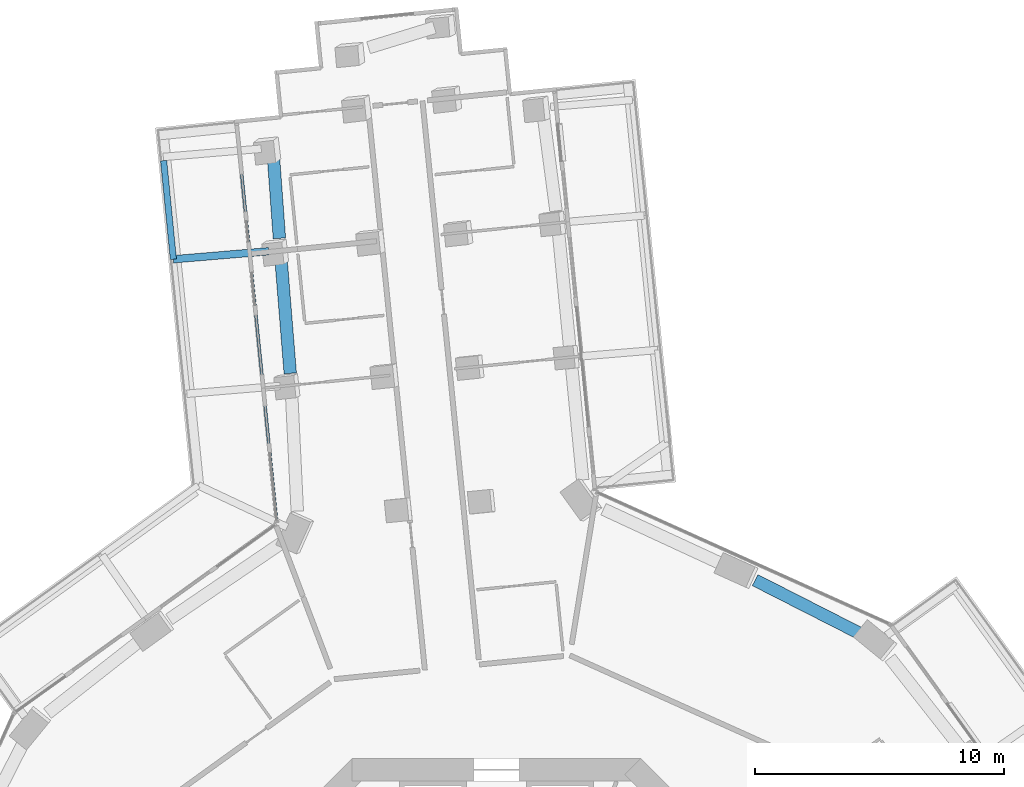
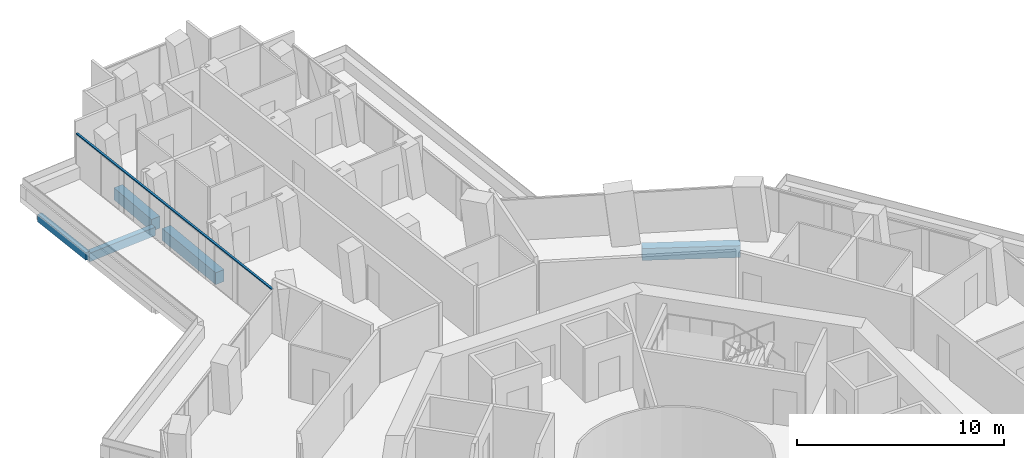
# One storey, part 8 of 26: 5 beams, 1 member, 1 element without a shape of its own.
"""IFC4 building model written with IfcOpenShell, lengths in metres."""

from ifc_helpers import new_model, si_unit, direction, frame, origin, origin_2d, place, context, subcontext, project, spatial, rectangle, extrude, material, layer, layer_set, material_profile, profile_set, type_object, element, aggregate, save


model = new_model("IFC4")

# Units and contexts
model_context = context("Model", 3, precision=1e-05, world=origin(), true_north=direction((0.0, 1.0)))
body_context = subcontext(model_context, "Body", "Model", "MODEL_VIEW")
ifc_project = project(units=[si_unit("LENGTHUNIT", "METRE"), si_unit("AREAUNIT", "SQUARE_METRE"), si_unit("VOLUMEUNIT", "CUBIC_METRE"), si_unit("PLANEANGLEUNIT", "RADIAN"), si_unit("MASSUNIT", "GRAM", prefix="KILO")], contexts=[model_context])

# Site, building, storey
site_placement = place(None, origin())
site = spatial("IfcSite", under=ifc_project, at=site_placement, CompositionType="ELEMENT")
building_placement = place(site_placement, origin())
building = spatial("IfcBuilding", under=site, at=building_placement, Name="Verdalira Terraces Hotel", CompositionType="ELEMENT")
storey_placement = place(building_placement, frame((0.0, 0.0, 56.5)))
storey = spatial("IfcBuildingStorey", under=building, at=storey_placement, Name="L12", CompositionType="ELEMENT", Elevation=56.5)

# Beams
ifc_material_1 = material(Name="Concrete C40", Category="concrete")
ifc_material_profile_1 = material_profile(ifc_material_1, rectangle(XDim=0.300049, YDim=0.5, at=origin_2d()), Name="RC 300X500")
ifc_profile_set_1 = profile_set([ifc_material_profile_1], Name="Concrete C40")
beam_type_1 = type_object("IfcBeamType", Name="Balcony cantilever beam RC 300X500 C40", PredefinedType="BEAM", material=ifc_profile_set_1)
beam_1_placement = place(storey_placement, frame((-9.145264, 34.391113, -0.560059), z_axis=(-0.99649092, -0.083700929, 0.0), x_axis=(0.083700929, -0.99649092, 0.0)))
element("IfcBeam", 1, at=beam_1_placement, inside=storey, type_object=beam_type_1, Name="Balcony cantilever beam R10-5", PredefinedType="BEAM", context=body_context, shape_type="SweptSolid", body=[
    extrude(rectangle(XDim=0.300049, YDim=0.5, at=origin_2d()), origin(), (0.0, 0.0, 1.0), 3.853027),
])
ifc_material_2 = material(Name="Concrete C40", Category="concrete")
ifc_material_profile_2 = material_profile(ifc_material_2, rectangle(XDim=0.25, YDim=0.449951, at=origin_2d()), Name="RC 250X450")
ifc_profile_set_2 = profile_set([ifc_material_profile_2], Name="Concrete C40")
beam_type_2 = type_object("IfcBeamType", Name="Balcony edge beam RC 250X450 C40", PredefinedType="BEAM", material=ifc_profile_set_2)
beam_2_placement = place(storey_placement, frame((-13.375488, 38.031982, -0.534912), z_axis=(0.098083351, -0.995178203, 0.0), x_axis=(0.995178203, 0.098083351, 0.0)))
element("IfcBeam", 2, at=beam_2_placement, inside=storey, type_object=beam_type_2, Name="Balcony edge beam R10-3", PredefinedType="BEAM", context=body_context, shape_type="SweptSolid", body=[
    extrude(rectangle(XDim=0.25, YDim=0.449951, at=origin_2d()), origin(), (0.0, 0.0, 1.0), 3.982666),
])

# Curtain wall, member
ifc_material_3 = material(Name="Clear glass", Category="glass")
ifc_layer = layer(ifc_material_3, 0.14990234375)
ifc_layer_set = layer_set([ifc_layer], Name="CW2 curtain wall")
curtain_wall_type = type_object("IfcCurtainWallType", Name="CW2 curtain wall", PredefinedType="NOTDEFINED", material=ifc_layer_set)
curtain_wall_placement = place(storey_placement, origin())
curtain_wall = element("IfcCurtainWall", 3, at=curtain_wall_placement, inside=storey, type_object=curtain_wall_type, Name="CW2 curtain wall L12 edge 10", PredefinedType="NOTDEFINED")
ifc_material_4 = material(Name="Terracotta frame", Category="masonry")
ifc_material_profile_3 = material_profile(ifc_material_4, rectangle(XDim=0.11499, YDim=0.064941, at=origin_2d()), Name="TR 65x115")
ifc_profile_set_3 = profile_set([ifc_material_profile_3], Name="Terracotta frame")
member_type = type_object("IfcMemberType", Name="CW2 transom 65x115", PredefinedType="USERDEFINED", material=ifc_profile_set_3)
member_placement = place(storey_placement, frame((-10.445068, 39.530518, 2.45752), z_axis=(0.10036136, -0.994951053, 0.0), x_axis=(0.994951053, 0.10036136, 0.0)))
member = element("IfcMember", 4, at=member_placement, type_object=member_type, Name="CW2 transom", ObjectType="TRANSOM", PredefinedType="USERDEFINED", context=body_context, shape_type="SweptSolid", body=[
    extrude(rectangle(XDim=0.11499, YDim=0.064941, at=origin_2d()), origin(), (0.0, 0.0, 1.0), 16.12085),
])
aggregate(curtain_wall, [member])

# Beams
ifc_material_5 = material(Name="Concrete C70", Category="concrete")
ifc_material_profile_4 = material_profile(ifc_material_5, rectangle(XDim=0.5, YDim=0.699951, at=origin_2d()), Name="RC 500X700")
ifc_profile_set_4 = profile_set([ifc_material_profile_4], Name="Concrete C70")
beam_type_3 = type_object("IfcBeamType", Name="Spandrel beam RC 500X700 C70", PredefinedType="SPANDREL", material=ifc_profile_set_4)
beam_3_placement = place(storey_placement, frame((-8.959961, 38.133301, -0.659912), z_axis=(0.073179005, -0.997318822, 0.0), x_axis=(0.997318822, 0.073179005, 0.0)))
element("IfcBeam", 5, at=beam_3_placement, inside=storey, type_object=beam_type_3, Name="Spandrel beam B05", PredefinedType="SPANDREL", context=body_context, shape_type="SweptSolid", body=[
    extrude(rectangle(XDim=0.5, YDim=0.699951, at=origin_2d()), origin(), (0.0, 0.0, 1.0), 3.23291),
])
beam_4_placement = place(storey_placement, frame((-8.653809, 34.006348, -0.659912), z_axis=(0.080694534, -0.996738879, 0.0), x_axis=(0.996738879, 0.080694534, 0.0)))
element("IfcBeam", 6, at=beam_4_placement, inside=storey, type_object=beam_type_3, Name="Spandrel beam B06", PredefinedType="SPANDREL", context=body_context, shape_type="SweptSolid", body=[
    extrude(rectangle(XDim=0.5, YDim=0.699951, at=origin_2d()), origin(), (0.0, 0.0, 1.0), 4.53833),
])
beam_5_placement = place(storey_placement, frame((14.637207, 19.012451, -0.659912), z_axis=(-0.891119742, 0.453768228, 0.0), x_axis=(-0.453768228, -0.891119742, 0.0)))
element("IfcBeam", 7, at=beam_5_placement, inside=storey, type_object=beam_type_3, Name="Spandrel beam B34", PredefinedType="SPANDREL", context=body_context, shape_type="SweptSolid", body=[
    extrude(rectangle(XDim=0.5, YDim=0.699951, at=origin_2d()), origin(), (0.0, 0.0, 1.0), 4.758789),
])

save(model, "model.ifc")
